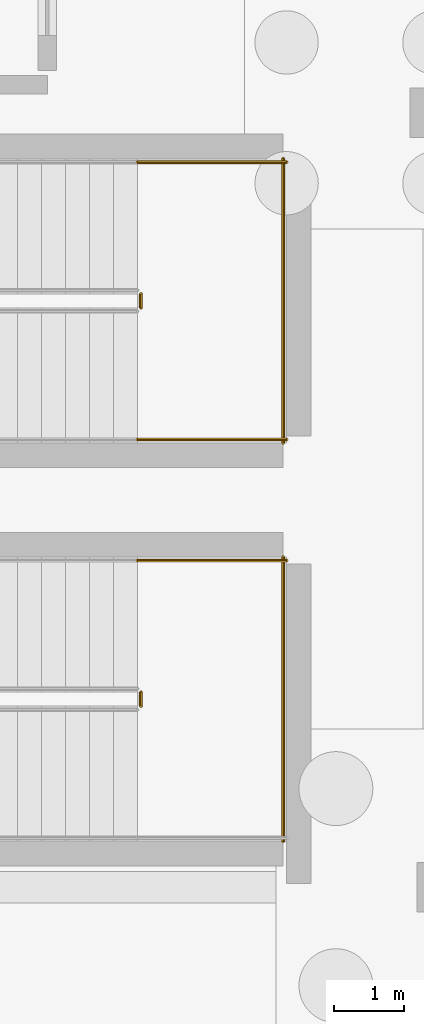
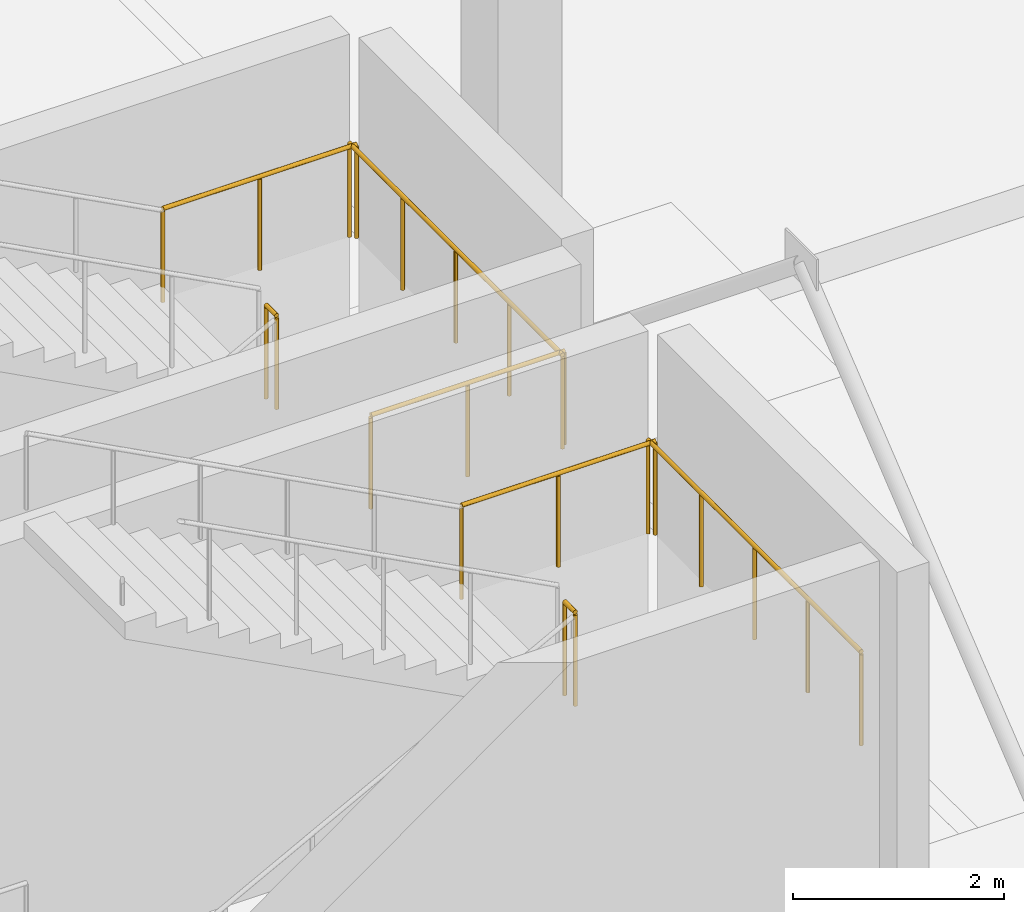
# One storey, part 58 of 60: 7 railings.
"""IFC4 building model written with IfcOpenShell, lengths in metres."""

from ifc_helpers import new_model, si_unit, direction, frame, origin, origin_2d, place, context, subcontext, project, spatial, circle, extrude, material, type_object, element, save


model = new_model("IFC4")

# Units and contexts
model_context = context("Model", 3, precision=1e-05, world=origin(), true_north=direction((0.0, 1.0)))
body_context = subcontext(model_context, "Body", "Model", "MODEL_VIEW")
ifc_project = project(units=[si_unit("LENGTHUNIT", "METRE"), si_unit("AREAUNIT", "SQUARE_METRE"), si_unit("VOLUMEUNIT", "CUBIC_METRE"), si_unit("PLANEANGLEUNIT", "RADIAN"), si_unit("MASSUNIT", "GRAM", prefix="KILO")], contexts=[model_context])

# Site, building, storey
site_placement = place(None, origin())
site = spatial("IfcSite", under=ifc_project, at=site_placement, CompositionType="ELEMENT")
building_placement = place(site_placement, origin())
building = spatial("IfcBuilding", under=site, at=building_placement, Name="Luwafu Chhajja Arena", CompositionType="ELEMENT")
storey_placement = place(building_placement, frame((0.0, 0.0, -5.39990234375)))
storey = spatial("IfcBuildingStorey", under=building, at=storey_placement, Name="B1", CompositionType="ELEMENT", Elevation=-5.39990234375)

# Railings
ifc_material = material(Name="Stainless steel balustrade", Category="steel")
railing_type = type_object("IfcRailingType", Name="Stair and Terrace Guard Balustrade 1100", PredefinedType="BALUSTRADE", material=ifc_material)
railing_1_placement = place(storey_placement, frame((159.830078125, 79.570068359375, 2.699951171875)))
element("IfcRailing", 1, at=railing_1_placement, inside=storey, type_object=railing_type, Name="B1 ST-07 stair guard 2", PredefinedType="BALUSTRADE", context=body_context, shape_type="SweptSolid", body=[
    extrude(circle(Radius=0.02392578125, at=origin_2d()), frame((0.0, 0.0, 1.076171875), z_axis=(0.0, 1.0, 0.0), x_axis=(-1.0, 0.0, 0.0)), (0.0, 0.0, 1.0), 0.199951171875),
    extrude(circle(Radius=0.02099609375, at=origin_2d()), origin(), (0.0, 0.0, 1.0), 1.052001953125),
    extrude(circle(Radius=0.02099609375, at=origin_2d()), frame((0.0, 0.199951171875, 0.0)), (0.0, 0.0, 1.0), 1.052001953125),
])
railing_2_placement = place(storey_placement, frame((159.780029296875, 81.639892578125, 2.699951171875)))
element("IfcRailing", 2, at=railing_2_placement, inside=storey, type_object=railing_type, Name="B1 ST-07 stair guard 4", PredefinedType="BALUSTRADE", context=body_context, shape_type="SweptSolid", body=[
    extrude(circle(Radius=0.02392578125, at=origin_2d()), frame((0.0, 0.0, 1.076171875), z_axis=(1.0, 0.0, 0.0), x_axis=(0.0, 1.0, 0.0)), (0.0, 0.0, 1.0), 2.119873046875),
    extrude(circle(Radius=0.02099609375, at=origin_2d()), origin(), (0.0, 0.0, 1.0), 1.052001953125),
    extrude(circle(Radius=0.02099609375, at=origin_2d()), frame((1.06005859375, 0.0, 0.0)), (0.0, 0.0, 1.0), 1.052001953125),
    extrude(circle(Radius=0.02099609375, at=origin_2d()), frame((2.119873046875, 0.0, 0.0)), (0.0, 0.0, 1.0), 1.052001953125),
])
railing_3_placement = place(storey_placement, frame((161.85009765625, 77.64990234375, 2.699951171875)))
element("IfcRailing", 3, at=railing_3_placement, inside=storey, type_object=railing_type, Name="B1 ST-07 stair guard 5", PredefinedType="BALUSTRADE", context=body_context, shape_type="SweptSolid", body=[
    extrude(circle(Radius=0.02392578125, at=origin_2d()), frame((0.0, 0.0, 1.076171875), z_axis=(0.0, 1.0, 0.0), x_axis=(-1.0, 0.0, 0.0)), (0.0, 0.0, 1.0), 4.0400390625),
    extrude(circle(Radius=0.02099609375, at=origin_2d()), origin(), (0.0, 0.0, 1.0), 1.052001953125),
    extrude(circle(Radius=0.02099609375, at=origin_2d()), frame((0.0, 1.010009765625, 0.0)), (0.0, 0.0, 1.0), 1.052001953125),
    extrude(circle(Radius=0.02099609375, at=origin_2d()), frame((0.0, 2.02001953125, 0.0)), (0.0, 0.0, 1.0), 1.052001953125),
    extrude(circle(Radius=0.02099609375, at=origin_2d()), frame((0.0, 3.030029296875, 0.0)), (0.0, 0.0, 1.0), 1.052001953125),
    extrude(circle(Radius=0.02099609375, at=origin_2d()), frame((0.0, 4.0400390625, 0.0)), (0.0, 0.0, 1.0), 1.052001953125),
])
railing_4_placement = place(storey_placement, frame((159.830078125, 85.22998046875, 2.699951171875)))
element("IfcRailing", 4, at=railing_4_placement, inside=storey, type_object=railing_type, Name="B1 ST-08 stair guard 2", PredefinedType="BALUSTRADE", context=body_context, shape_type="SweptSolid", body=[
    extrude(circle(Radius=0.02392578125, at=origin_2d()), frame((0.0, 0.0, 1.076171875), z_axis=(0.0, 1.0, 0.0), x_axis=(-1.0, 0.0, 0.0)), (0.0, 0.0, 1.0), 0.199951171875),
    extrude(circle(Radius=0.02099609375, at=origin_2d()), origin(), (0.0, 0.0, 1.0), 1.052001953125),
    extrude(circle(Radius=0.02099609375, at=origin_2d()), frame((0.0, 0.199951171875, 0.0)), (0.0, 0.0, 1.0), 1.052001953125),
])
for number, where, name in (
    (5, (159.780029296875, 83.360107421875, 2.699951171875), "B1 ST-08 stair guard 3"),
    (6, (159.780029296875, 87.300048828125, 2.699951171875), "B1 ST-08 stair guard 4"),
):
    element("IfcRailing", number, at=place(storey_placement, frame(where)), inside=storey, type_object=railing_type, Name=name, PredefinedType="BALUSTRADE", context=body_context, shape_type="SweptSolid", body=[
        extrude(circle(Radius=0.02392578125, at=origin_2d()), frame((0.0, 0.0, 1.076171875), z_axis=(1.0, 0.0, 0.0), x_axis=(0.0, 1.0, 0.0)), (0.0, 0.0, 1.0), 2.119873046875),
        extrude(circle(Radius=0.02099609375, at=origin_2d()), origin(), (0.0, 0.0, 1.0), 1.052001953125),
        extrude(circle(Radius=0.02099609375, at=origin_2d()), frame((1.06005859375, 0.0, 0.0)), (0.0, 0.0, 1.0), 1.052001953125),
        extrude(circle(Radius=0.02099609375, at=origin_2d()), frame((2.119873046875, 0.0, 0.0)), (0.0, 0.0, 1.0), 1.052001953125),
    ])
railing_5_placement = place(storey_placement, frame((161.85009765625, 83.31005859375, 2.699951171875)))
element("IfcRailing", 7, at=railing_5_placement, inside=storey, type_object=railing_type, Name="B1 ST-08 stair guard 5", PredefinedType="BALUSTRADE", context=body_context, shape_type="SweptSolid", body=[
    extrude(circle(Radius=0.02392578125, at=origin_2d()), frame((0.0, 0.0, 1.076171875), z_axis=(0.0, 1.0, 0.0), x_axis=(-1.0, 0.0, 0.0)), (0.0, 0.0, 1.0), 4.0400390625),
    extrude(circle(Radius=0.02099609375, at=origin_2d()), origin(), (0.0, 0.0, 1.0), 1.052001953125),
    extrude(circle(Radius=0.02099609375, at=origin_2d()), frame((0.0, 1.010009765625, 0.0)), (0.0, 0.0, 1.0), 1.052001953125),
    extrude(circle(Radius=0.02099609375, at=origin_2d()), frame((0.0, 2.02001953125, 0.0)), (0.0, 0.0, 1.0), 1.052001953125),
    extrude(circle(Radius=0.02099609375, at=origin_2d()), frame((0.0, 3.030029296875, 0.0)), (0.0, 0.0, 1.0), 1.052001953125),
    extrude(circle(Radius=0.02099609375, at=origin_2d()), frame((0.0, 4.0400390625, 0.0)), (0.0, 0.0, 1.0), 1.052001953125),
])

save(model, "model.ifc")
